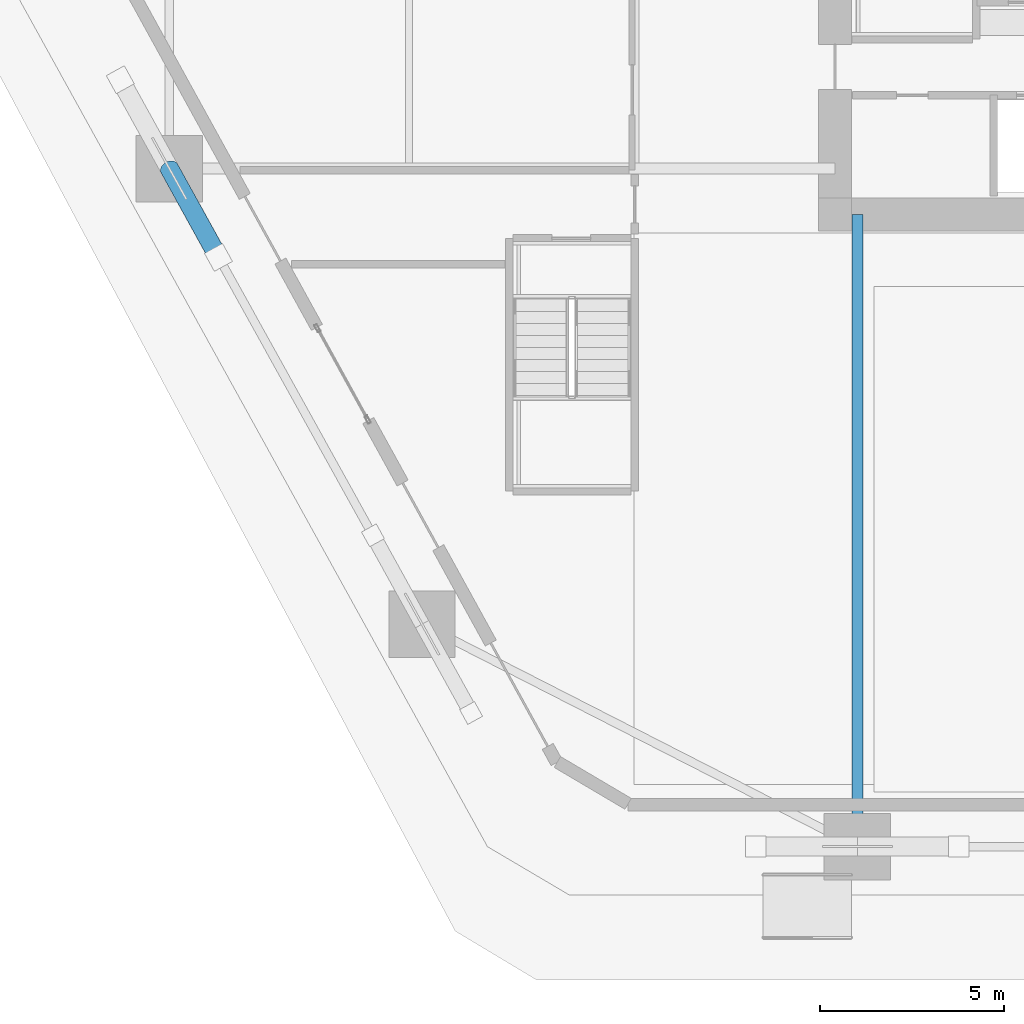
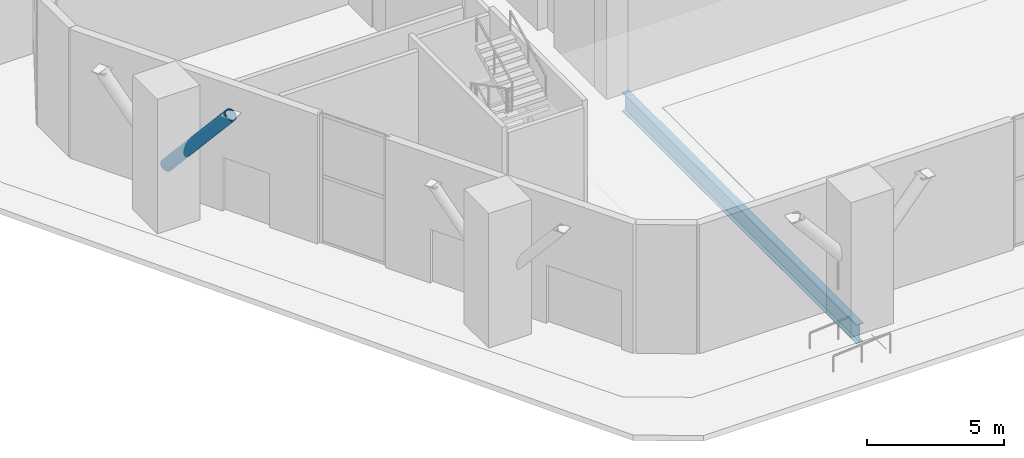
# One storey, part 4 of 22: 1 beam, 1 member.
"""IFC4 building model written with IfcOpenShell, lengths in metres."""

import ifcopenshell
import ifcopenshell.guid

model = None  # the IFC model being written
_history = None  # IfcOwnerHistory: only IFC2X3 demands one
_inside = {}  # id of a spatial element -> (the spatial element, [elements in it])
_under = {}  # id of a project, library or spatial element -> (it, [spatial elements below it])
_declared = {}  # id of a project -> (the project, [libraries it declares])
_typed = {}  # id of a type object -> (the type object, [elements of that type])
_made_of = {}  # id of a material, layer set ... -> (it, [elements and type objects made of it])


def new_model(schema):
    """Start an empty IFC model of exactly this schema.

    Asked for "IFC4X3", IfcOpenShell would pick the latest addendum, in which some entities
    have other attributes; the version numbers below select the first issue.
    IFC2X3 requires an IfcOwnerHistory on every rooted entity: one is made here for all.
    """
    global model, _history
    if schema == "IFC4X3":
        model = ifcopenshell.file(schema_version=(4, 3, 0, 0))
    else:
        model = ifcopenshell.file(schema=schema)
    _inside.clear()
    _under.clear()
    _declared.clear()
    _typed.clear()
    _made_of.clear()
    _history = None
    if model.schema == "IFC2X3":
        org = make("IfcOrganization", Name="unknown")
        user = make(
            "IfcPersonAndOrganization",
            ThePerson=make("IfcPerson", FamilyName="unknown"),
            TheOrganization=org,
        )
        app = make(
            "IfcApplication",
            ApplicationDeveloper=org,
            Version="unknown",
            ApplicationFullName="unknown",
            ApplicationIdentifier="unknown",
        )
        _history = make(
            "IfcOwnerHistory",
            OwningUser=user,
            OwningApplication=app,
            ChangeAction="ADDED",
            CreationDate=0,
        )
    return model


def make(cls, **values):
    """One entity of the class cls with the attributes given. An attribute that is None is left unset."""
    return model.create_entity(
        cls, **{name: value for name, value in values.items() if value is not None}
    )


def rooted(cls, **values):
    """An entity with a GlobalId (a new one), such as an element, a storey or a relation."""
    return make(cls, GlobalId=ifcopenshell.guid.new(), OwnerHistory=_history, **values)


def si_unit(unit_type, name, prefix=None):
    """IfcSIUnit, for example si_unit("LENGTHUNIT", "METRE", prefix="MILLI")."""
    return make("IfcSIUnit", UnitType=unit_type, Prefix=prefix, Name=name)


def assignment(units):
    """IfcUnitAssignment: the units of a project."""
    return None if units is None else make("IfcUnitAssignment", Units=units)


def point(xyz):
    """IfcCartesianPoint."""
    return None if xyz is None else make("IfcCartesianPoint", Coordinates=xyz)


def direction(xyz):
    """IfcDirection."""
    return None if xyz is None else make("IfcDirection", DirectionRatios=xyz)


def frame(location, z_axis=None, x_axis=None):
    """IfcAxis2Placement3D, a coordinate frame: its origin and axes. An axis left out is left unset."""
    return make(
        "IfcAxis2Placement3D",
        Location=point(location),
        Axis=direction(z_axis),
        RefDirection=direction(x_axis),
    )


def frame_2d(location, x_axis=None):
    """IfcAxis2Placement2D, a coordinate frame in the plane: its origin and x axis."""
    return make(
        "IfcAxis2Placement2D", Location=point(location), RefDirection=direction(x_axis)
    )


def origin():
    """The frame at (0, 0, 0) with its axes left unset."""
    return frame((0.0, 0.0, 0.0))


def origin_2d():
    """The frame at (0, 0) in the plane with its x axis left unset."""
    return frame_2d((0.0, 0.0))


def place(relative_to, where):
    """IfcLocalPlacement: puts the frame where relative to a parent placement (None: the world)."""
    return make(
        "IfcLocalPlacement", PlacementRelTo=relative_to, RelativePlacement=where
    )


def context(
    kind, dimensions, precision=None, world=None, true_north=None, identifier=None
):
    """IfcGeometricRepresentationContext, for example the 3D "Model" context."""
    return make(
        "IfcGeometricRepresentationContext",
        ContextIdentifier=identifier,
        ContextType=kind,
        CoordinateSpaceDimension=dimensions,
        Precision=precision,
        WorldCoordinateSystem=world,
        TrueNorth=true_north,
    )


def subcontext(parent, identifier, kind, view, scale=None):
    """IfcGeometricRepresentationSubContext, for example "Body" below "Model"."""
    return make(
        "IfcGeometricRepresentationSubContext",
        ContextIdentifier=identifier,
        ContextType=kind,
        ParentContext=parent,
        TargetScale=scale,
        TargetView=view,
    )


def project(units=None, contexts=None):
    """IfcProject with its units and contexts."""
    return rooted(
        "IfcProject",
        Name="project",
        RepresentationContexts=contexts,
        UnitsInContext=assignment(units),
    )


def spatial(cls, under=None, at=None, **own):
    """A site, building, storey or space (cls), placed at a placement, below another one or the project."""
    s = rooted(cls, ObjectPlacement=at, **own)
    if under is not None:
        _under.setdefault(under.id(), (under, []))[1].append(s)
    return s


def profile(cls, at=None, kind="AREA", **sizes):
    """A parametric profile (cls). Its sizes go by their IFC names, for example OverallWidth=200.0."""
    return make(cls, ProfileType=kind, Position=at, **sizes)


def hollow_circle(**sizes):
    """IfcCircleHollowProfileDef."""
    return profile("IfcCircleHollowProfileDef", **sizes)


def i_section(**sizes):
    """IfcIShapeProfileDef."""
    return profile("IfcIShapeProfileDef", **sizes)


def extrude(swept, where, along, depth):
    """IfcExtrudedAreaSolid: the profile swept, set in the frame where, extruded along a direction by depth."""
    return make(
        "IfcExtrudedAreaSolid",
        SweptArea=swept,
        Position=where,
        ExtrudedDirection=direction(along),
        Depth=depth,
    )


def shape(context_of_items, identifier, shape_type, items):
    """IfcShapeRepresentation: the items that make up one representation, for example the "Body"."""
    return make(
        "IfcShapeRepresentation",
        ContextOfItems=context_of_items,
        RepresentationIdentifier=identifier,
        RepresentationType=shape_type,
        Items=items,
    )


def material(Name=None, Category=None):
    """IfcMaterial."""
    return make("IfcMaterial", Name=Name, Category=Category)


def material_profile(
    of_material, cross_section, Name=None, Category=None, Priority=None
):
    """IfcMaterialProfile: a cross section and its material."""
    return make(
        "IfcMaterialProfile",
        Name=Name,
        Material=of_material,
        Profile=cross_section,
        Priority=Priority,
        Category=Category,
    )


def profile_set(profiles, Name=None, composite=None):
    """IfcMaterialProfileSet."""
    return make(
        "IfcMaterialProfileSet",
        Name=Name,
        MaterialProfiles=profiles,
        CompositeProfile=composite,
    )


def made_of(thing, what):
    """Note that an element or type object is made of a material, layer set ...; save() writes the relation."""
    if what is not None:
        _made_of.setdefault(what.id(), (what, []))[1].append(thing)
    return thing


def type_object(cls, material=None, **own):
    """A type object (cls), such as IfcWallType, which elements share."""
    return made_of(rooted(cls, **own), material)


def element(
    cls,
    number,
    at=None,
    inside=None,
    cuts=None,
    type_object=None,
    material=None,
    context=None,
    identifier="Body",
    shape_type=None,
    held_by="IfcProductDefinitionShape",
    body=None,
    shapes=None,
    **own,
):
    """One element of the class cls, such as IfcWall. Its Tag is "e" and its number.

    at: its placement. inside: the storey or other place that contains it. cuts: it is an
    opening in that element (IfcRelVoidsElement). A single representation is given by context,
    identifier, shape_type and body (its items); several are given by shapes. held_by: the class
    of the entity that holds the representations. save() writes the other relations.
    """
    e = rooted(cls, Tag="e%d" % number, ObjectPlacement=at, **own)
    if body is not None:
        shapes = [shape(context, identifier, shape_type, body)]
    if shapes is not None:
        e.Representation = make(held_by, Representations=shapes)
    if inside is not None:
        _inside.setdefault(inside.id(), (inside, []))[1].append(e)
    if cuts is not None:
        rooted(
            "IfcRelVoidsElement", RelatingBuildingElement=cuts, RelatedOpeningElement=e
        )
    if type_object is not None:
        _typed.setdefault(type_object.id(), (type_object, []))[1].append(e)
    return made_of(e, material)


def aggregate(whole, parts):
    """IfcRelAggregates: a whole, such as a stair, and the parts it consists of."""
    return rooted("IfcRelAggregates", RelatingObject=whole, RelatedObjects=parts)


def save(model, path):
    """Write the relations noted so far, then the file.

    IfcRelAggregates (storeys below a building ...), IfcRelContainedInSpatialStructure (elements
    in a storey), IfcRelDefinesByType, IfcRelAssociatesMaterial and IfcRelDeclares: one each for
    every whole, place, type object, material and project.
    """
    for whole, parts in _under.values():
        aggregate(whole, parts)
    for where, things in _inside.values():
        rooted(
            "IfcRelContainedInSpatialStructure",
            RelatedElements=things,
            RelatingStructure=where,
        )
    for kind, things in _typed.values():
        rooted("IfcRelDefinesByType", RelatedObjects=things, RelatingType=kind)
    for what, things in _made_of.values():
        rooted("IfcRelAssociatesMaterial", RelatedObjects=things, RelatingMaterial=what)
    for by, libraries in _declared.values():
        rooted("IfcRelDeclares", RelatingContext=by, RelatedDefinitions=libraries)
    model.write(path)


model = new_model("IFC4")

# Units and contexts
model_context = context("Model", 3, precision=1e-05, world=origin(), true_north=direction((0.0, 1.0)))
body_context = subcontext(model_context, "Body", "Model", "MODEL_VIEW")
ifc_project = project(units=[si_unit("LENGTHUNIT", "METRE"), si_unit("AREAUNIT", "SQUARE_METRE"), si_unit("VOLUMEUNIT", "CUBIC_METRE"), si_unit("PLANEANGLEUNIT", "RADIAN"), si_unit("MASSUNIT", "GRAM", prefix="KILO")], contexts=[model_context])

# Site, building, storey
site_placement = place(None, origin())
site = spatial("IfcSite", under=ifc_project, at=site_placement, CompositionType="ELEMENT")
building_placement = place(site_placement, origin())
building = spatial("IfcBuilding", under=site, at=building_placement, Name="Cinnabar Lancet Tower", CompositionType="ELEMENT")
storey_placement = place(building_placement, origin())
storey = spatial("IfcBuildingStorey", under=building, at=storey_placement, Name="L00", CompositionType="ELEMENT", Elevation=0.0)

# Beam
ifc_material_1 = material(Name="Structural steel S355", Category="steel")
ifc_material_profile_1 = material_profile(ifc_material_1, i_section(OverallWidth=0.293701171875, OverallDepth=0.850830078125, WebThickness=0.01611328125, FlangeThickness=0.02685546875, FilletRadius=0.017822265625, at=origin_2d()), Name="UKB 838x292x226")
ifc_profile_set_1 = profile_set([ifc_material_profile_1], Name="Structural steel S355")
beam_type = type_object("IfcBeamType", Name="STR-BM-UKB838-226", PredefinedType="BEAM", material=ifc_profile_set_1)
beam_placement = place(storey_placement, frame((23.554931640625, 1.31689453125, -0.675048828125), z_axis=(0.0, 1.0, 0.0), x_axis=(-1.0, 0.0, 0.0)))
element("IfcBeam", 1, at=beam_placement, inside=storey, type_object=beam_type, Name="L00 Primary Floor Girder 1", PredefinedType="BEAM", context=body_context, shape_type="SweptSolid", body=[
    extrude(i_section(OverallWidth=0.293701171875, OverallDepth=0.850830078125, WebThickness=0.01611328125, FlangeThickness=0.02685546875, FilletRadius=0.017822265625, at=origin_2d()), origin(), (0.0, 0.0, 1.0), 17.133056640625),
])

# Member
ifc_material_2 = material(Name="Structural steel S460", Category="steel")
ifc_material_profile_2 = material_profile(ifc_material_2, hollow_circle(Radius=0.25390625, WallThickness=0.02490234375, at=origin_2d()), Name="CHS 508x25")
ifc_profile_set_2 = profile_set([ifc_material_profile_2], Name="Structural steel S460")
member_type = type_object("IfcMemberType", Name="STR-MEM-YPIL-508", PredefinedType="STRUT", material=ifc_profile_set_2)
member_placement = place(storey_placement, frame((4.908935546875, 19.69189453125, 2.199951171875), z_axis=(0.312418023343, -0.5653688128, 0.763382659093), x_axis=(0.875256370508, 0.483659266308, 0.0)))
element("IfcMember", 2, at=member_placement, inside=storey, type_object=member_type, Name="Y-Pilotis Inclined Branch Strut 11B", PredefinedType="STRUT", context=body_context, shape_type="SweptSolid", body=[
    extrude(hollow_circle(Radius=0.25390625, WallThickness=0.02490234375, at=origin_2d()), origin(), (0.0, 0.0, 1.0), 4.25732421875),
])

save(model, "model.ifc")
